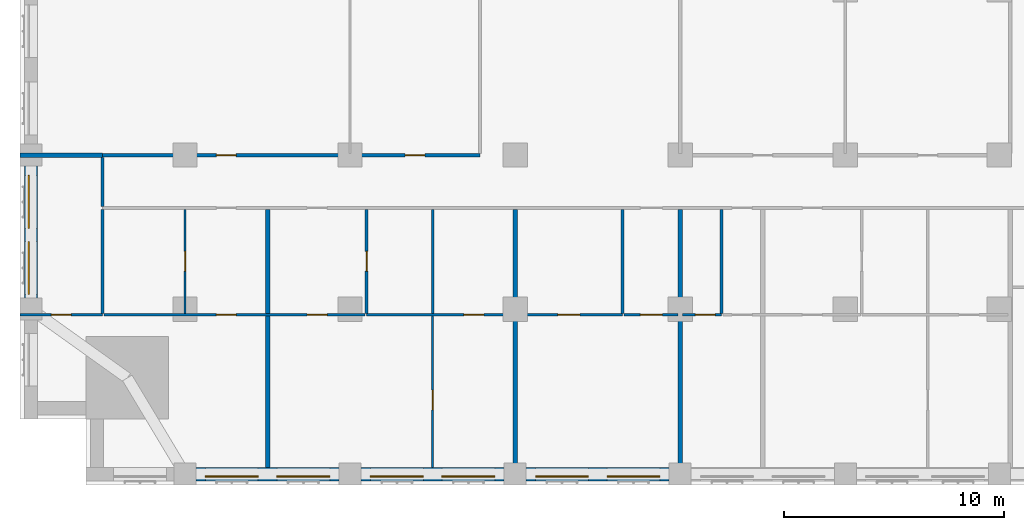
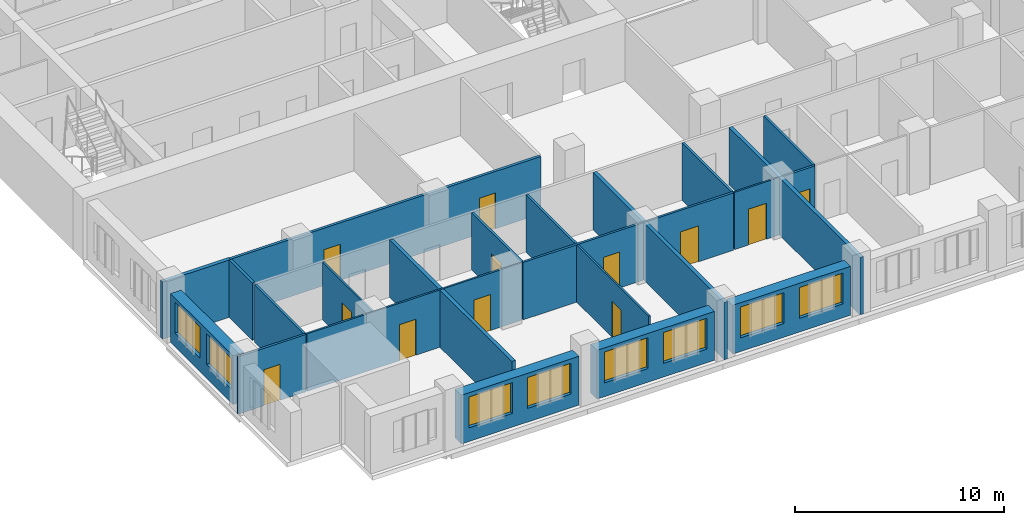
# One storey, part 4 of 14: 22 walls, 12 doors, 8 windows, 20 openings.
"""IFC4 building model written with IfcOpenShell, lengths in metres."""

from ifc_helpers import new_model, si_unit, direction, frame, frame_2d, origin, place, context, subcontext, project, spatial, rectangle, extrude, material, layer, layer_set, type_object, element, fill, save


model = new_model("IFC4")

# Units and contexts
model_context = context("Model", 3, precision=1e-05, world=origin(), true_north=direction((0.0, 1.0)))
body_context = subcontext(model_context, "Body", "Model", "MODEL_VIEW")
ifc_project = project(units=[si_unit("LENGTHUNIT", "METRE"), si_unit("AREAUNIT", "SQUARE_METRE"), si_unit("VOLUMEUNIT", "CUBIC_METRE"), si_unit("PLANEANGLEUNIT", "RADIAN"), si_unit("MASSUNIT", "GRAM", prefix="KILO")], contexts=[model_context])

# Site, building, storey
site_placement = place(None, origin())
site = spatial("IfcSite", under=ifc_project, at=site_placement, CompositionType="ELEMENT")
building_placement = place(site_placement, origin())
building = spatial("IfcBuilding", under=site, at=building_placement, Name="Tamorin Gate", CompositionType="ELEMENT")
storey_placement = place(building_placement, frame((0.0, 0.0, 93.5)))
storey = spatial("IfcBuildingStorey", under=building, at=storey_placement, Name="L22", CompositionType="ELEMENT", Elevation=93.5)

# Wall, openings, windows
ifc_material_1 = material(Name="Precast concrete C40/50", Category="concrete")
ifc_layer_1 = layer(ifc_material_1, 0.60009765625)
ifc_layer_set_1 = layer_set([ifc_layer_1], Name="Precast concrete C40/50")
wall_type_1 = type_object("IfcWallType", Name="Board-marked concrete facade panel 600", PredefinedType="SOLIDWALL", material=ifc_layer_set_1)
wall_1_placement = place(storey_placement, frame((38.0, 38.0, 0.0), z_axis=(0.0, 0.0, 1.0), x_axis=(1.0, 0.0, 0.0)))
wall_1 = element("IfcWall", 1, at=wall_1_placement, inside=storey, type_object=wall_type_1, Name="Facade panel", PredefinedType="SOLIDWALL", context=body_context, shape_type="SweptSolid", body=[
    extrude(rectangle(XDim=6.5, YDim=0.60009765625, at=frame_2d((3.25, 0.0))), origin(), (0.0, 0.0, 1.0), 2.85009765625),
])
opening_1_placement = place(wall_1_placement, frame((0.425048828125, 0.0, 0.800048828125)))
opening_1 = element("IfcOpeningElement", 2, at=opening_1_placement, cuts=wall_1, Name="Opening WN1", PredefinedType="OPENING", context=body_context, shape_type="SweptSolid", body=[
    extrude(rectangle(XDim=2.39990234375, YDim=1.800048828125, at=frame_2d((1.199951171875, 0.89990234375))), frame((0.0, 0.31005859375, 0.0), z_axis=(0.0, -1.0, 0.0), x_axis=(1.0, 0.0, 0.0)), (0.0, 0.0, 1.0), 0.6201171875),
])
opening_2_placement = place(wall_1_placement, frame((3.675048828125, 0.0, 0.800048828125)))
opening_2 = element("IfcOpeningElement", 3, at=opening_2_placement, cuts=wall_1, Name="Opening WN1", PredefinedType="OPENING", context=body_context, shape_type="SweptSolid", body=[
    extrude(rectangle(XDim=2.39990234375, YDim=1.800048828125, at=frame_2d((1.199951171875, 0.89990234375))), frame((0.0, 0.31005859375, 0.0), z_axis=(0.0, -1.0, 0.0), x_axis=(1.0, 0.0, 0.0)), (0.0, 0.0, 1.0), 0.6201171875),
])
ifc_material_2 = material(Name="Clear glass in aluminium frame", Category="aluminium")
window_type = type_object("IfcWindowType", Name="Deep-set window 2400x1800", PartitioningType="SINGLE_PANEL", PredefinedType="WINDOW", material=ifc_material_2)
window_1_placement = place(opening_1_placement, origin())
window_1 = element("IfcWindow", 4, at=window_1_placement, inside=storey, type_object=window_type, Name="Deep-set window", OverallHeight=1.800048828125, OverallWidth=2.39990234375, PartitioningType="SINGLE_PANEL", PredefinedType="WINDOW", context=body_context, shape_type="SweptSolid", body=[
    extrude(rectangle(XDim=2.39990234375, YDim=1.800048828125, at=frame_2d((1.199951171875, 0.89990234375))), frame((0.0, -0.070068359375, 0.0), z_axis=(0.0, -1.0, 0.0), x_axis=(1.0, 0.0, 0.0)), (0.0, 0.0, 1.0), 0.06005859375),
])
fill(opening_1, window_1)
window_2_placement = place(opening_2_placement, origin())
window_2 = element("IfcWindow", 5, at=window_2_placement, inside=storey, type_object=window_type, Name="Deep-set window", OverallHeight=1.800048828125, OverallWidth=2.39990234375, PartitioningType="SINGLE_PANEL", PredefinedType="WINDOW", context=body_context, shape_type="SweptSolid", body=[
    extrude(rectangle(XDim=2.39990234375, YDim=1.800048828125, at=frame_2d((1.199951171875, 0.89990234375))), frame((0.0, -0.070068359375, 0.0), z_axis=(0.0, -1.0, 0.0), x_axis=(1.0, 0.0, 0.0)), (0.0, 0.0, 1.0), 0.06005859375),
])
fill(opening_2, window_2)

wall_2_placement = place(storey_placement, frame((45.5, 38.0, 0.0), z_axis=(0.0, 0.0, 1.0), x_axis=(1.0, 0.0, 0.0)))
wall_2 = element("IfcWall", 6, at=wall_2_placement, inside=storey, type_object=wall_type_1, Name="Facade panel", PredefinedType="SOLIDWALL", context=body_context, shape_type="SweptSolid", body=[
    extrude(rectangle(XDim=6.5, YDim=0.60009765625, at=frame_2d((3.25, 0.0))), origin(), (0.0, 0.0, 1.0), 2.85009765625),
])
opening_3_placement = place(wall_2_placement, frame((0.425048828125, 0.0, 0.800048828125)))
opening_3 = element("IfcOpeningElement", 7, at=opening_3_placement, cuts=wall_2, Name="Opening WN1", PredefinedType="OPENING", context=body_context, shape_type="SweptSolid", body=[
    extrude(rectangle(XDim=2.39990234375, YDim=1.800048828125, at=frame_2d((1.199951171875, 0.89990234375))), frame((0.0, 0.31005859375, 0.0), z_axis=(0.0, -1.0, 0.0), x_axis=(1.0, 0.0, 0.0)), (0.0, 0.0, 1.0), 0.6201171875),
])
opening_4_placement = place(wall_2_placement, frame((3.675048828125, 0.0, 0.800048828125)))
opening_4 = element("IfcOpeningElement", 8, at=opening_4_placement, cuts=wall_2, Name="Opening WN1", PredefinedType="OPENING", context=body_context, shape_type="SweptSolid", body=[
    extrude(rectangle(XDim=2.39990234375, YDim=1.800048828125, at=frame_2d((1.199951171875, 0.89990234375))), frame((0.0, 0.31005859375, 0.0), z_axis=(0.0, -1.0, 0.0), x_axis=(1.0, 0.0, 0.0)), (0.0, 0.0, 1.0), 0.6201171875),
])
window_3_placement = place(opening_3_placement, origin())
window_3 = element("IfcWindow", 9, at=window_3_placement, inside=storey, type_object=window_type, Name="Deep-set window", OverallHeight=1.800048828125, OverallWidth=2.39990234375, PartitioningType="SINGLE_PANEL", PredefinedType="WINDOW", context=body_context, shape_type="SweptSolid", body=[
    extrude(rectangle(XDim=2.39990234375, YDim=1.800048828125, at=frame_2d((1.199951171875, 0.89990234375))), frame((0.0, -0.070068359375, 0.0), z_axis=(0.0, -1.0, 0.0), x_axis=(1.0, 0.0, 0.0)), (0.0, 0.0, 1.0), 0.06005859375),
])
fill(opening_3, window_3)
window_4_placement = place(opening_4_placement, origin())
window_4 = element("IfcWindow", 10, at=window_4_placement, inside=storey, type_object=window_type, Name="Deep-set window", OverallHeight=1.800048828125, OverallWidth=2.39990234375, PartitioningType="SINGLE_PANEL", PredefinedType="WINDOW", context=body_context, shape_type="SweptSolid", body=[
    extrude(rectangle(XDim=2.39990234375, YDim=1.800048828125, at=frame_2d((1.199951171875, 0.89990234375))), frame((0.0, -0.070068359375, 0.0), z_axis=(0.0, -1.0, 0.0), x_axis=(1.0, 0.0, 0.0)), (0.0, 0.0, 1.0), 0.06005859375),
])
fill(opening_4, window_4)

wall_3_placement = place(storey_placement, frame((53.0, 38.0, 0.0), z_axis=(0.0, 0.0, 1.0), x_axis=(1.0, 0.0, 0.0)))
wall_3 = element("IfcWall", 11, at=wall_3_placement, inside=storey, type_object=wall_type_1, Name="Facade panel", PredefinedType="SOLIDWALL", context=body_context, shape_type="SweptSolid", body=[
    extrude(rectangle(XDim=6.5, YDim=0.60009765625, at=frame_2d((3.25, 0.0))), origin(), (0.0, 0.0, 1.0), 2.85009765625),
])
opening_5_placement = place(wall_3_placement, frame((0.425048828125, 0.0, 0.800048828125)))
opening_5 = element("IfcOpeningElement", 12, at=opening_5_placement, cuts=wall_3, Name="Opening WN1", PredefinedType="OPENING", context=body_context, shape_type="SweptSolid", body=[
    extrude(rectangle(XDim=2.39990234375, YDim=1.800048828125, at=frame_2d((1.199951171875, 0.89990234375))), frame((0.0, 0.31005859375, 0.0), z_axis=(0.0, -1.0, 0.0), x_axis=(1.0, 0.0, 0.0)), (0.0, 0.0, 1.0), 0.6201171875),
])
opening_6_placement = place(wall_3_placement, frame((3.675048828125, 0.0, 0.800048828125)))
opening_6 = element("IfcOpeningElement", 13, at=opening_6_placement, cuts=wall_3, Name="Opening WN1", PredefinedType="OPENING", context=body_context, shape_type="SweptSolid", body=[
    extrude(rectangle(XDim=2.39990234375, YDim=1.800048828125, at=frame_2d((1.199951171875, 0.89990234375))), frame((0.0, 0.31005859375, 0.0), z_axis=(0.0, -1.0, 0.0), x_axis=(1.0, 0.0, 0.0)), (0.0, 0.0, 1.0), 0.6201171875),
])
window_5_placement = place(opening_5_placement, origin())
window_5 = element("IfcWindow", 14, at=window_5_placement, inside=storey, type_object=window_type, Name="Deep-set window", OverallHeight=1.800048828125, OverallWidth=2.39990234375, PartitioningType="SINGLE_PANEL", PredefinedType="WINDOW", context=body_context, shape_type="SweptSolid", body=[
    extrude(rectangle(XDim=2.39990234375, YDim=1.800048828125, at=frame_2d((1.199951171875, 0.89990234375))), frame((0.0, -0.070068359375, 0.0), z_axis=(0.0, -1.0, 0.0), x_axis=(1.0, 0.0, 0.0)), (0.0, 0.0, 1.0), 0.06005859375),
])
fill(opening_5, window_5)
window_6_placement = place(opening_6_placement, origin())
window_6 = element("IfcWindow", 15, at=window_6_placement, inside=storey, type_object=window_type, Name="Deep-set window", OverallHeight=1.800048828125, OverallWidth=2.39990234375, PartitioningType="SINGLE_PANEL", PredefinedType="WINDOW", context=body_context, shape_type="SweptSolid", body=[
    extrude(rectangle(XDim=2.39990234375, YDim=1.800048828125, at=frame_2d((1.199951171875, 0.89990234375))), frame((0.0, -0.070068359375, 0.0), z_axis=(0.0, -1.0, 0.0), x_axis=(1.0, 0.0, 0.0)), (0.0, 0.0, 1.0), 0.06005859375),
])
fill(opening_6, window_6)

wall_4_placement = place(storey_placement, frame((30.5, 52.0, 0.0), z_axis=(0.0, 0.0, 1.0), x_axis=(0.0, -1.0, 0.0)))
wall_4 = element("IfcWall", 16, at=wall_4_placement, inside=storey, type_object=wall_type_1, Name="Facade panel", PredefinedType="SOLIDWALL", context=body_context, shape_type="SweptSolid", body=[
    extrude(rectangle(XDim=6.0, YDim=0.60009765625, at=frame_2d((3.0, 0.0))), origin(), (0.0, 0.0, 1.0), 2.85009765625),
])
opening_7_placement = place(wall_4_placement, frame((3.425048828125, 0.0, 0.800048828125)))
opening_7 = element("IfcOpeningElement", 17, at=opening_7_placement, cuts=wall_4, Name="Opening WN1", PredefinedType="OPENING", context=body_context, shape_type="SweptSolid", body=[
    extrude(rectangle(XDim=2.39990234375, YDim=1.800048828125, at=frame_2d((1.199951171875, 0.89990234375))), frame((0.0, 0.31005859375, 0.0), z_axis=(0.0, -1.0, 0.0), x_axis=(1.0, 0.0, 0.0)), (0.0, 0.0, 1.0), 0.6201171875),
])
opening_8_placement = place(wall_4_placement, frame((0.425048828125, 0.0, 0.800048828125)))
opening_8 = element("IfcOpeningElement", 18, at=opening_8_placement, cuts=wall_4, Name="Opening WN1", PredefinedType="OPENING", context=body_context, shape_type="SweptSolid", body=[
    extrude(rectangle(XDim=2.39990234375, YDim=1.800048828125, at=frame_2d((1.199951171875, 0.89990234375))), frame((0.0, 0.31005859375, 0.0), z_axis=(0.0, -1.0, 0.0), x_axis=(1.0, 0.0, 0.0)), (0.0, 0.0, 1.0), 0.6201171875),
])
window_7_placement = place(opening_7_placement, origin())
window_7 = element("IfcWindow", 19, at=window_7_placement, inside=storey, type_object=window_type, Name="Deep-set window", OverallHeight=1.800048828125, OverallWidth=2.39990234375, PartitioningType="SINGLE_PANEL", PredefinedType="WINDOW", context=body_context, shape_type="SweptSolid", body=[
    extrude(rectangle(XDim=2.39990234375, YDim=1.800048828125, at=frame_2d((1.199951171875, 0.89990234375))), frame((0.0, -0.070068359375, 0.0), z_axis=(0.0, -1.0, 0.0), x_axis=(1.0, 0.0, 0.0)), (0.0, 0.0, 1.0), 0.06005859375),
])
fill(opening_7, window_7)
window_8_placement = place(opening_8_placement, origin())
window_8 = element("IfcWindow", 20, at=window_8_placement, inside=storey, type_object=window_type, Name="Deep-set window", OverallHeight=1.800048828125, OverallWidth=2.39990234375, PartitioningType="SINGLE_PANEL", PredefinedType="WINDOW", context=body_context, shape_type="SweptSolid", body=[
    extrude(rectangle(XDim=2.39990234375, YDim=1.800048828125, at=frame_2d((1.199951171875, 0.89990234375))), frame((0.0, -0.070068359375, 0.0), z_axis=(0.0, -1.0, 0.0), x_axis=(1.0, 0.0, 0.0)), (0.0, 0.0, 1.0), 0.06005859375),
])
fill(opening_8, window_8)

# Wall, openings, doors
ifc_material_3 = material(Name="Gypsum board partition")
ifc_layer_2 = layer(ifc_material_3, 0.14990234375)
ifc_layer_set_2 = layer_set([ifc_layer_2], Name="Corridor wall 150")
wall_type_2 = type_object("IfcWallType", Name="Corridor wall 150", PredefinedType="PARTITIONING", material=ifc_layer_set_2)
wall_5_placement = place(storey_placement, frame((33.75, 52.5, 0.0), z_axis=(0.0, 0.0, 1.0), x_axis=(1.0, 0.0, 0.0)))
wall_5 = element("IfcWall", 21, at=wall_5_placement, inside=storey, type_object=wall_type_2, Name="Corridor wall 150", PredefinedType="PARTITIONING", context=body_context, shape_type="SweptSolid", body=[
    extrude(rectangle(XDim=17.14990234375, YDim=0.14990234375, at=frame_2d((8.574951171875, 0.0))), origin(), (0.0, 0.0, 1.0), 3.35009765625),
])
opening_9_placement = place(wall_5_placement, frame((5.175048828125, 0.0, 0.0)))
opening_9 = element("IfcOpeningElement", 22, at=opening_9_placement, cuts=wall_5, Name="Opening DH5072", PredefinedType="OPENING", context=body_context, shape_type="SweptSolid", body=[
    extrude(rectangle(XDim=0.89990234375, YDim=2.10009765625, at=frame_2d((0.449951171875, 1.050048828125))), frame((0.0, 0.0849609375, 0.0), z_axis=(0.0, -1.0, 0.0), x_axis=(1.0, 0.0, 0.0)), (0.0, 0.0, 1.0), 0.169921875),
])
opening_10_placement = place(wall_5_placement, frame((13.75, 0.0, 0.0)))
opening_10 = element("IfcOpeningElement", 23, at=opening_10_placement, cuts=wall_5, Name="Opening DH5073", PredefinedType="OPENING", context=body_context, shape_type="SweptSolid", body=[
    extrude(rectangle(XDim=0.89990234375, YDim=2.10009765625, at=frame_2d((0.449951171875, 1.050048828125))), frame((0.0, 0.0849609375, 0.0), z_axis=(0.0, -1.0, 0.0), x_axis=(1.0, 0.0, 0.0)), (0.0, 0.0, 1.0), 0.169921875),
])
ifc_material_4 = material(Name="Timber door leaf", Category="wood")
door_type_1 = type_object("IfcDoorType", Name="Door 900 x 2100 FD30S", OperationType="NOTDEFINED", PredefinedType="DOOR", material=ifc_material_4)
door_1_placement = place(opening_9_placement, origin())
door_1 = element("IfcDoor", 24, at=door_1_placement, inside=storey, type_object=door_type_1, Name="Door DH5072", OperationType="SINGLE_SWING_LEFT", OverallHeight=2.10009765625, OverallWidth=0.89990234375, PredefinedType="DOOR", context=body_context, shape_type="SweptSolid", body=[
    extrude(rectangle(XDim=0.89990234375, YDim=2.10009765625, at=frame_2d((0.449951171875, 1.050048828125))), frame((0.0, 0.02490234375, 0.0), z_axis=(0.0, -1.0, 0.0), x_axis=(1.0, 0.0, 0.0)), (0.0, 0.0, 1.0), 0.050048828125),
])
fill(opening_9, door_1)
door_2_placement = place(opening_10_placement, origin())
door_2 = element("IfcDoor", 25, at=door_2_placement, inside=storey, type_object=door_type_1, Name="Door DH5073", OperationType="SINGLE_SWING_LEFT", OverallHeight=2.10009765625, OverallWidth=0.89990234375, PredefinedType="DOOR", context=body_context, shape_type="SweptSolid", body=[
    extrude(rectangle(XDim=0.89990234375, YDim=2.10009765625, at=frame_2d((0.449951171875, 1.050048828125))), frame((0.0, 0.02490234375, 0.0), z_axis=(0.0, -1.0, 0.0), x_axis=(1.0, 0.0, 0.0)), (0.0, 0.0, 1.0), 0.050048828125),
])
fill(opening_10, door_2)

# Walls
wall_6_placement = place(storey_placement, frame((33.75, 50.175048828125, 0.0), z_axis=(0.0, 0.0, 1.0), x_axis=(0.0, 1.0, 0.0)))
element("IfcWall", 26, at=wall_6_placement, inside=storey, type_object=wall_type_2, Name="Corridor wall 150", PredefinedType="PARTITIONING", context=body_context, shape_type="SweptSolid", body=[
    extrude(rectangle(XDim=2.224853515625, YDim=0.14990234375, at=frame_2d((1.1123046875, 0.0))), origin(), (0.0, 0.0, 1.0), 3.35009765625),
])
ifc_layer_3 = layer(ifc_material_3, 0.199951171875)
ifc_layer_set_3 = layer_set([ifc_layer_3], Name="Demising wall 200")
wall_type_3 = type_object("IfcWallType", Name="Demising wall 200", PredefinedType="PARTITIONING", material=ifc_layer_set_3)
wall_7_placement = place(storey_placement, frame((30.0, 52.5, 0.0), z_axis=(0.0, 0.0, 1.0), x_axis=(1.0, 0.0, 0.0)))
element("IfcWall", 27, at=wall_7_placement, inside=storey, type_object=wall_type_3, Name="Demising wall 200", PredefinedType="PARTITIONING", context=body_context, shape_type="SweptSolid", body=[
    extrude(rectangle(XDim=3.75, YDim=0.199951171875, at=frame_2d((1.875, 0.0))), origin(), (0.0, 0.0, 1.0), 3.35009765625),
])
wall_8_placement = place(storey_placement, frame((41.25, 38.31005859375, 0.0), z_axis=(0.0, 0.0, 1.0), x_axis=(0.0, 1.0, 0.0)))
element("IfcWall", 28, at=wall_8_placement, inside=storey, type_object=wall_type_3, Name="Demising wall 200", PredefinedType="PARTITIONING", context=body_context, shape_type="SweptSolid", body=[
    extrude(rectangle(XDim=11.71484375, YDim=0.199951171875, at=frame_2d((5.857421875, 0.0))), origin(), (0.0, 0.0, 1.0), 3.35009765625),
])
for number, where, z_axis, x_axis, name in (
    (29, (52.5, 37.5, 0.0), (0.0, 0.0, 1.0), (0.0, 1.0, 0.0), "Demising wall 200"),
    (30, (60.0, 37.5, 0.0), (0.0, 0.0, 1.0), (0.0, 1.0, 0.0), "Demising wall 200"),
):
    element("IfcWall", number, at=place(storey_placement, frame(where, z_axis=z_axis, x_axis=x_axis)), inside=storey, type_object=wall_type_3, Name=name, PredefinedType="PARTITIONING", context=body_context, shape_type="SweptSolid", body=[
        extrude(rectangle(XDim=12.52490234375, YDim=0.199951171875, at=frame_2d((6.262451171875, 0.0))), origin(), (0.0, 0.0, 1.0), 3.35009765625),
    ])

# Wall, openings, doors
ifc_layer_4 = layer(ifc_material_3, 0.10009765625)
ifc_layer_set_4 = layer_set([ifc_layer_4], Name="Room partition 100")
wall_type_4 = type_object("IfcWallType", Name="Room partition 100", PredefinedType="PARTITIONING", material=ifc_layer_set_4)
wall_9_placement = place(storey_placement, frame((33.8125, 45.25, 0.0), z_axis=(0.0, 0.0, 1.0), x_axis=(1.0, 0.0, 0.0)))
wall_9 = element("IfcWall", 31, at=wall_9_placement, inside=storey, type_object=wall_type_4, Name="Room partition 100", PredefinedType="PARTITIONING", context=body_context, shape_type="SweptSolid", body=[
    extrude(rectangle(XDim=11.875, YDim=0.10009765625, at=frame_2d((5.9375, 0.0))), origin(), (0.0, 0.0, 1.0), 3.35009765625),
])
opening_11_placement = place(wall_9_placement, frame((5.112548828125, 0.0, 0.0)))
opening_11 = element("IfcOpeningElement", 32, at=opening_11_placement, cuts=wall_9, Name="Opening DH5004", PredefinedType="OPENING", context=body_context, shape_type="SweptSolid", body=[
    extrude(rectangle(XDim=0.89990234375, YDim=2.10009765625, at=frame_2d((0.449951171875, 1.050048828125))), frame((0.0, 0.06005859375, 0.0), z_axis=(0.0, -1.0, 0.0), x_axis=(1.0, 0.0, 0.0)), (0.0, 0.0, 1.0), 0.1201171875),
])
opening_12_placement = place(wall_9_placement, frame((9.237548828125, 0.0, 0.0)))
opening_12 = element("IfcOpeningElement", 33, at=opening_12_placement, cuts=wall_9, Name="Opening DH5006", PredefinedType="OPENING", context=body_context, shape_type="SweptSolid", body=[
    extrude(rectangle(XDim=0.89990234375, YDim=2.10009765625, at=frame_2d((0.449951171875, 1.050048828125))), frame((0.0, 0.06005859375, 0.0), z_axis=(0.0, -1.0, 0.0), x_axis=(1.0, 0.0, 0.0)), (0.0, 0.0, 1.0), 0.1201171875),
])
door_type_2 = type_object("IfcDoorType", Name="Door 900 x 2100", OperationType="NOTDEFINED", PredefinedType="DOOR", material=ifc_material_4)
door_3_placement = place(opening_11_placement, origin())
door_3 = element("IfcDoor", 34, at=door_3_placement, inside=storey, type_object=door_type_2, Name="Door DH5004", OperationType="SINGLE_SWING_LEFT", OverallHeight=2.10009765625, OverallWidth=0.89990234375, PredefinedType="DOOR", context=body_context, shape_type="SweptSolid", body=[
    extrude(rectangle(XDim=0.89990234375, YDim=2.10009765625, at=frame_2d((0.449951171875, 1.050048828125))), frame((0.0, 0.02490234375, 0.0), z_axis=(0.0, -1.0, 0.0), x_axis=(1.0, 0.0, 0.0)), (0.0, 0.0, 1.0), 0.050048828125),
])
fill(opening_11, door_3)
door_4_placement = place(opening_12_placement, origin())
door_4 = element("IfcDoor", 35, at=door_4_placement, inside=storey, type_object=door_type_2, Name="Door DH5006", OperationType="SINGLE_SWING_LEFT", OverallHeight=2.10009765625, OverallWidth=0.89990234375, PredefinedType="DOOR", context=body_context, shape_type="SweptSolid", body=[
    extrude(rectangle(XDim=0.89990234375, YDim=2.10009765625, at=frame_2d((0.449951171875, 1.050048828125))), frame((0.0, 0.02490234375, 0.0), z_axis=(0.0, -1.0, 0.0), x_axis=(1.0, 0.0, 0.0)), (0.0, 0.0, 1.0), 0.050048828125),
])
fill(opening_12, door_4)

# Wall, opening, door
wall_10_placement = place(storey_placement, frame((57.4375, 45.25, 0.0), z_axis=(0.0, 0.0, 1.0), x_axis=(1.0, 0.0, 0.0)))
wall_10 = element("IfcWall", 36, at=wall_10_placement, inside=storey, type_object=wall_type_4, Name="Room partition 100", PredefinedType="PARTITIONING", context=body_context, shape_type="SweptSolid", body=[
    extrude(rectangle(XDim=2.46240234375, YDim=0.10009765625, at=frame_2d((1.231201171875, 0.0))), origin(), (0.0, 0.0, 1.0), 3.35009765625),
])
opening_13_placement = place(wall_10_placement, frame((0.75, 0.0, 0.0)))
opening_13 = element("IfcOpeningElement", 37, at=opening_13_placement, cuts=wall_10, Name="Opening DH5012", PredefinedType="OPENING", context=body_context, shape_type="SweptSolid", body=[
    extrude(rectangle(XDim=1.0, YDim=2.10009765625, at=frame_2d((0.5, 1.050048828125))), frame((0.0, 0.06005859375, 0.0), z_axis=(0.0, -1.0, 0.0), x_axis=(1.0, 0.0, 0.0)), (0.0, 0.0, 1.0), 0.1201171875),
])
door_type_3 = type_object("IfcDoorType", Name="Door 1000 x 2100", OperationType="NOTDEFINED", PredefinedType="DOOR", material=ifc_material_4)
door_5_placement = place(opening_13_placement, origin())
door_5 = element("IfcDoor", 38, at=door_5_placement, inside=storey, type_object=door_type_3, Name="Door DH5012", OperationType="SINGLE_SWING_LEFT", OverallHeight=2.10009765625, OverallWidth=1.0, PredefinedType="DOOR", context=body_context, shape_type="SweptSolid", body=[
    extrude(rectangle(XDim=1.0, YDim=2.10009765625, at=frame_2d((0.5, 1.050048828125))), frame((0.0, 0.02490234375, 0.0), z_axis=(0.0, -1.0, 0.0), x_axis=(1.0, 0.0, 0.0)), (0.0, 0.0, 1.0), 0.050048828125),
])
fill(opening_13, door_5)

wall_11_placement = place(storey_placement, frame((37.5, 45.300048828125, 0.0), z_axis=(0.0, 0.0, 1.0), x_axis=(0.0, 1.0, 0.0)))
wall_11 = element("IfcWall", 39, at=wall_11_placement, inside=storey, type_object=wall_type_4, Name="Room partition 100", PredefinedType="PARTITIONING", context=body_context, shape_type="SweptSolid", body=[
    extrude(rectangle(XDim=4.724853515625, YDim=0.10009765625, at=frame_2d((2.3623046875, 0.0))), origin(), (0.0, 0.0, 1.0), 3.35009765625),
])
opening_14_placement = place(wall_11_placement, frame((1.925048828125, 0.0, 0.0)))
opening_14 = element("IfcOpeningElement", 40, at=opening_14_placement, cuts=wall_11, Name="Opening DH5002", PredefinedType="OPENING", context=body_context, shape_type="SweptSolid", body=[
    extrude(rectangle(XDim=0.89990234375, YDim=2.10009765625, at=frame_2d((0.449951171875, 1.050048828125))), frame((0.0, 0.06005859375, 0.0), z_axis=(0.0, -1.0, 0.0), x_axis=(1.0, 0.0, 0.0)), (0.0, 0.0, 1.0), 0.1201171875),
])
door_6_placement = place(opening_14_placement, origin())
door_6 = element("IfcDoor", 41, at=door_6_placement, inside=storey, type_object=door_type_2, Name="Door DH5002", OperationType="SINGLE_SWING_RIGHT", OverallHeight=2.10009765625, OverallWidth=0.89990234375, PredefinedType="DOOR", context=body_context, shape_type="SweptSolid", body=[
    extrude(rectangle(XDim=0.89990234375, YDim=2.10009765625, at=frame_2d((0.449951171875, 1.050048828125))), frame((0.0, 0.02490234375, 0.0), z_axis=(0.0, -1.0, 0.0), x_axis=(1.0, 0.0, 0.0)), (0.0, 0.0, 1.0), 0.050048828125),
])
fill(opening_14, door_6)

wall_12_placement = place(storey_placement, frame((48.75, 38.31005859375, 0.0), z_axis=(0.0, 0.0, 1.0), x_axis=(0.0, 1.0, 0.0)))
wall_12 = element("IfcWall", 42, at=wall_12_placement, inside=storey, type_object=wall_type_4, Name="Room partition 100", PredefinedType="PARTITIONING", context=body_context, shape_type="SweptSolid", body=[
    extrude(rectangle(XDim=6.87744140625, YDim=0.10009765625, at=frame_2d((3.438720703125, 0.0))), origin(), (0.0, 0.0, 1.0), 3.35009765625),
])
opening_15_placement = place(wall_12_placement, frame((2.614990234375, 0.0, 0.0)))
opening_15 = element("IfcOpeningElement", 43, at=opening_15_placement, cuts=wall_12, Name="Opening DH5009", PredefinedType="OPENING", context=body_context, shape_type="SweptSolid", body=[
    extrude(rectangle(XDim=0.89990234375, YDim=2.10009765625, at=frame_2d((0.449951171875, 1.050048828125))), frame((0.0, 0.06005859375, 0.0), z_axis=(0.0, -1.0, 0.0), x_axis=(1.0, 0.0, 0.0)), (0.0, 0.0, 1.0), 0.1201171875),
])
door_7_placement = place(opening_15_placement, origin())
door_7 = element("IfcDoor", 44, at=door_7_placement, inside=storey, type_object=door_type_2, Name="Door DH5009", OperationType="SINGLE_SWING_LEFT", OverallHeight=2.10009765625, OverallWidth=0.89990234375, PredefinedType="DOOR", context=body_context, shape_type="SweptSolid", body=[
    extrude(rectangle(XDim=0.89990234375, YDim=2.10009765625, at=frame_2d((0.449951171875, 1.050048828125))), frame((0.0, 0.02490234375, 0.0), z_axis=(0.0, -1.0, 0.0), x_axis=(1.0, 0.0, 0.0)), (0.0, 0.0, 1.0), 0.050048828125),
])
fill(opening_15, door_7)

ifc_layer_5 = layer(ifc_material_3, 0.125)
ifc_layer_set_5 = layer_set([ifc_layer_5], Name="Wet wall 125")
wall_type_5 = type_object("IfcWallType", Name="Wet wall 125", PredefinedType="PARTITIONING", material=ifc_layer_set_5)
wall_13_placement = place(storey_placement, frame((30.0, 45.25, 0.0), z_axis=(0.0, 0.0, 1.0), x_axis=(1.0, 0.0, 0.0)))
wall_13 = element("IfcWall", 45, at=wall_13_placement, inside=storey, type_object=wall_type_5, Name="Wet wall 125", PredefinedType="PARTITIONING", context=body_context, shape_type="SweptSolid", body=[
    extrude(rectangle(XDim=3.75, YDim=0.125, at=frame_2d((1.875, 0.0))), origin(), (0.0, 0.0, 1.0), 3.35009765625),
])
opening_16_placement = place(wall_13_placement, frame((1.425048828125, 0.0, 0.0)))
opening_16 = element("IfcOpeningElement", 46, at=opening_16_placement, cuts=wall_13, Name="Opening DH5001", PredefinedType="OPENING", context=body_context, shape_type="SweptSolid", body=[
    extrude(rectangle(XDim=0.89990234375, YDim=2.10009765625, at=frame_2d((0.449951171875, 1.050048828125))), frame((0.0, 0.072509765625, 0.0), z_axis=(0.0, -1.0, 0.0), x_axis=(1.0, 0.0, 0.0)), (0.0, 0.0, 1.0), 0.14501953125),
])
door_8_placement = place(opening_16_placement, origin())
door_8 = element("IfcDoor", 47, at=door_8_placement, inside=storey, type_object=door_type_2, Name="Door DH5001", OperationType="SINGLE_SWING_LEFT", OverallHeight=2.10009765625, OverallWidth=0.89990234375, PredefinedType="DOOR", context=body_context, shape_type="SweptSolid", body=[
    extrude(rectangle(XDim=0.89990234375, YDim=2.10009765625, at=frame_2d((0.449951171875, 1.050048828125))), frame((0.0, 0.02490234375, 0.0), z_axis=(0.0, -1.0, 0.0), x_axis=(1.0, 0.0, 0.0)), (0.0, 0.0, 1.0), 0.050048828125),
])
fill(opening_16, door_8)

# Wall, openings, doors
wall_14_placement = place(storey_placement, frame((45.75, 45.25, 0.0), z_axis=(0.0, 0.0, 1.0), x_axis=(1.0, 0.0, 0.0)))
wall_14 = element("IfcWall", 48, at=wall_14_placement, inside=storey, type_object=wall_type_5, Name="Wet wall 125", PredefinedType="PARTITIONING", context=body_context, shape_type="SweptSolid", body=[
    extrude(rectangle(XDim=11.625, YDim=0.125, at=frame_2d((5.8125, 0.0))), origin(), (0.0, 0.0, 1.0), 3.35009765625),
])
opening_17_placement = place(wall_14_placement, frame((4.425048828125, 0.0, 0.0)))
opening_17 = element("IfcOpeningElement", 49, at=opening_17_placement, cuts=wall_14, Name="Opening DH5008", PredefinedType="OPENING", context=body_context, shape_type="SweptSolid", body=[
    extrude(rectangle(XDim=0.89990234375, YDim=2.10009765625, at=frame_2d((0.449951171875, 1.050048828125))), frame((0.0, 0.072509765625, 0.0), z_axis=(0.0, -1.0, 0.0), x_axis=(1.0, 0.0, 0.0)), (0.0, 0.0, 1.0), 0.14501953125),
])
opening_18_placement = place(wall_14_placement, frame((8.6875, 0.0, 0.0)))
opening_18 = element("IfcOpeningElement", 50, at=opening_18_placement, cuts=wall_14, Name="Opening DH5010", PredefinedType="OPENING", context=body_context, shape_type="SweptSolid", body=[
    extrude(rectangle(XDim=1.0, YDim=2.10009765625, at=frame_2d((0.5, 1.050048828125))), frame((0.0, 0.072509765625, 0.0), z_axis=(0.0, -1.0, 0.0), x_axis=(1.0, 0.0, 0.0)), (0.0, 0.0, 1.0), 0.14501953125),
])
door_9_placement = place(opening_18_placement, origin())
door_9 = element("IfcDoor", 51, at=door_9_placement, inside=storey, type_object=door_type_3, Name="Door DH5010", OperationType="SINGLE_SWING_LEFT", OverallHeight=2.10009765625, OverallWidth=1.0, PredefinedType="DOOR", context=body_context, shape_type="SweptSolid", body=[
    extrude(rectangle(XDim=1.0, YDim=2.10009765625, at=frame_2d((0.5, 1.050048828125))), frame((0.0, 0.02490234375, 0.0), z_axis=(0.0, -1.0, 0.0), x_axis=(1.0, 0.0, 0.0)), (0.0, 0.0, 1.0), 0.050048828125),
])
fill(opening_18, door_9)
door_10_placement = place(opening_17_placement, origin())
door_10 = element("IfcDoor", 52, at=door_10_placement, inside=storey, type_object=door_type_2, Name="Door DH5008", OperationType="SINGLE_SWING_LEFT", OverallHeight=2.10009765625, OverallWidth=0.89990234375, PredefinedType="DOOR", context=body_context, shape_type="SweptSolid", body=[
    extrude(rectangle(XDim=0.89990234375, YDim=2.10009765625, at=frame_2d((0.449951171875, 1.050048828125))), frame((0.0, 0.02490234375, 0.0), z_axis=(0.0, -1.0, 0.0), x_axis=(1.0, 0.0, 0.0)), (0.0, 0.0, 1.0), 0.050048828125),
])
fill(opening_17, door_10)

# Wall, opening, door
wall_15_placement = place(storey_placement, frame((60.10009765625, 45.25, 0.0), z_axis=(0.0, 0.0, 1.0), x_axis=(1.0, 0.0, 0.0)))
wall_15 = element("IfcWall", 53, at=wall_15_placement, inside=storey, type_object=wall_type_5, Name="Wet wall 125", PredefinedType="PARTITIONING", context=body_context, shape_type="SweptSolid", body=[
    extrude(rectangle(XDim=1.77490234375, YDim=0.125, at=frame_2d((0.887451171875, 0.0))), origin(), (0.0, 0.0, 1.0), 3.35009765625),
])
opening_19_placement = place(wall_15_placement, frame((0.58740234375, 0.0, 0.0)))
opening_19 = element("IfcOpeningElement", 54, at=opening_19_placement, cuts=wall_15, Name="Opening DH5013", PredefinedType="OPENING", context=body_context, shape_type="SweptSolid", body=[
    extrude(rectangle(XDim=0.89990234375, YDim=2.10009765625, at=frame_2d((0.449951171875, 1.050048828125))), frame((0.0, 0.072509765625, 0.0), z_axis=(0.0, -1.0, 0.0), x_axis=(1.0, 0.0, 0.0)), (0.0, 0.0, 1.0), 0.14501953125),
])
door_11_placement = place(opening_19_placement, origin())
door_11 = element("IfcDoor", 55, at=door_11_placement, inside=storey, type_object=door_type_2, Name="Door DH5013", OperationType="SINGLE_SWING_RIGHT", OverallHeight=2.10009765625, OverallWidth=0.89990234375, PredefinedType="DOOR", context=body_context, shape_type="SweptSolid", body=[
    extrude(rectangle(XDim=0.89990234375, YDim=2.10009765625, at=frame_2d((0.449951171875, 1.050048828125))), frame((0.0, 0.02490234375, 0.0), z_axis=(0.0, -1.0, 0.0), x_axis=(1.0, 0.0, 0.0)), (0.0, 0.0, 1.0), 0.050048828125),
])
fill(opening_19, door_11)

# Wall
wall_16_placement = place(storey_placement, frame((33.75, 45.3125, 0.0), z_axis=(0.0, 0.0, 1.0), x_axis=(0.0, 1.0, 0.0)))
element("IfcWall", 56, at=wall_16_placement, inside=storey, type_object=wall_type_5, Name="Wet wall 125", PredefinedType="PARTITIONING", context=body_context, shape_type="SweptSolid", body=[
    extrude(rectangle(XDim=4.71240234375, YDim=0.125, at=frame_2d((2.356201171875, 0.0))), origin(), (0.0, 0.0, 1.0), 3.35009765625),
])

# Wall, opening, door
wall_17_placement = place(storey_placement, frame((45.75, 45.3125, 0.0), z_axis=(0.0, 0.0, 1.0), x_axis=(0.0, 1.0, 0.0)))
wall_17 = element("IfcWall", 57, at=wall_17_placement, inside=storey, type_object=wall_type_5, Name="Wet wall 125", PredefinedType="PARTITIONING", context=body_context, shape_type="SweptSolid", body=[
    extrude(rectangle(XDim=4.71240234375, YDim=0.125, at=frame_2d((2.356201171875, 0.0))), origin(), (0.0, 0.0, 1.0), 3.35009765625),
])
opening_20_placement = place(wall_17_placement, frame((1.91259765625, 0.0, 0.0)))
opening_20 = element("IfcOpeningElement", 58, at=opening_20_placement, cuts=wall_17, Name="Opening DH5007", PredefinedType="OPENING", context=body_context, shape_type="SweptSolid", body=[
    extrude(rectangle(XDim=0.89990234375, YDim=2.10009765625, at=frame_2d((0.449951171875, 1.050048828125))), frame((0.0, 0.072509765625, 0.0), z_axis=(0.0, -1.0, 0.0), x_axis=(1.0, 0.0, 0.0)), (0.0, 0.0, 1.0), 0.14501953125),
])
door_12_placement = place(opening_20_placement, origin())
door_12 = element("IfcDoor", 59, at=door_12_placement, inside=storey, type_object=door_type_2, Name="Door DH5007", OperationType="SINGLE_SWING_LEFT", OverallHeight=2.10009765625, OverallWidth=0.89990234375, PredefinedType="DOOR", context=body_context, shape_type="SweptSolid", body=[
    extrude(rectangle(XDim=0.89990234375, YDim=2.10009765625, at=frame_2d((0.449951171875, 1.050048828125))), frame((0.0, 0.02490234375, 0.0), z_axis=(0.0, -1.0, 0.0), x_axis=(1.0, 0.0, 0.0)), (0.0, 0.0, 1.0), 0.050048828125),
])
fill(opening_20, door_12)

# Walls
for number, where, z_axis, x_axis, name in (
    (60, (48.75, 45.3125, 0.0), (0.0, 0.0, 1.0), (0.0, 1.0, 0.0), "Wet wall 125"),
    (61, (57.375, 45.3125, 0.0), (0.0, 0.0, 1.0), (0.0, 1.0, 0.0), "Wet wall 125"),
    (62, (61.875, 45.3125, 0.0), (0.0, 0.0, 1.0), (0.0, 1.0, 0.0), "Wet wall 125"),
):
    element("IfcWall", number, at=place(storey_placement, frame(where, z_axis=z_axis, x_axis=x_axis)), inside=storey, type_object=wall_type_5, Name=name, PredefinedType="PARTITIONING", context=body_context, shape_type="SweptSolid", body=[
        extrude(rectangle(XDim=4.71240234375, YDim=0.125, at=frame_2d((2.356201171875, 0.0))), origin(), (0.0, 0.0, 1.0), 3.35009765625),
    ])

save(model, "model.ifc")
